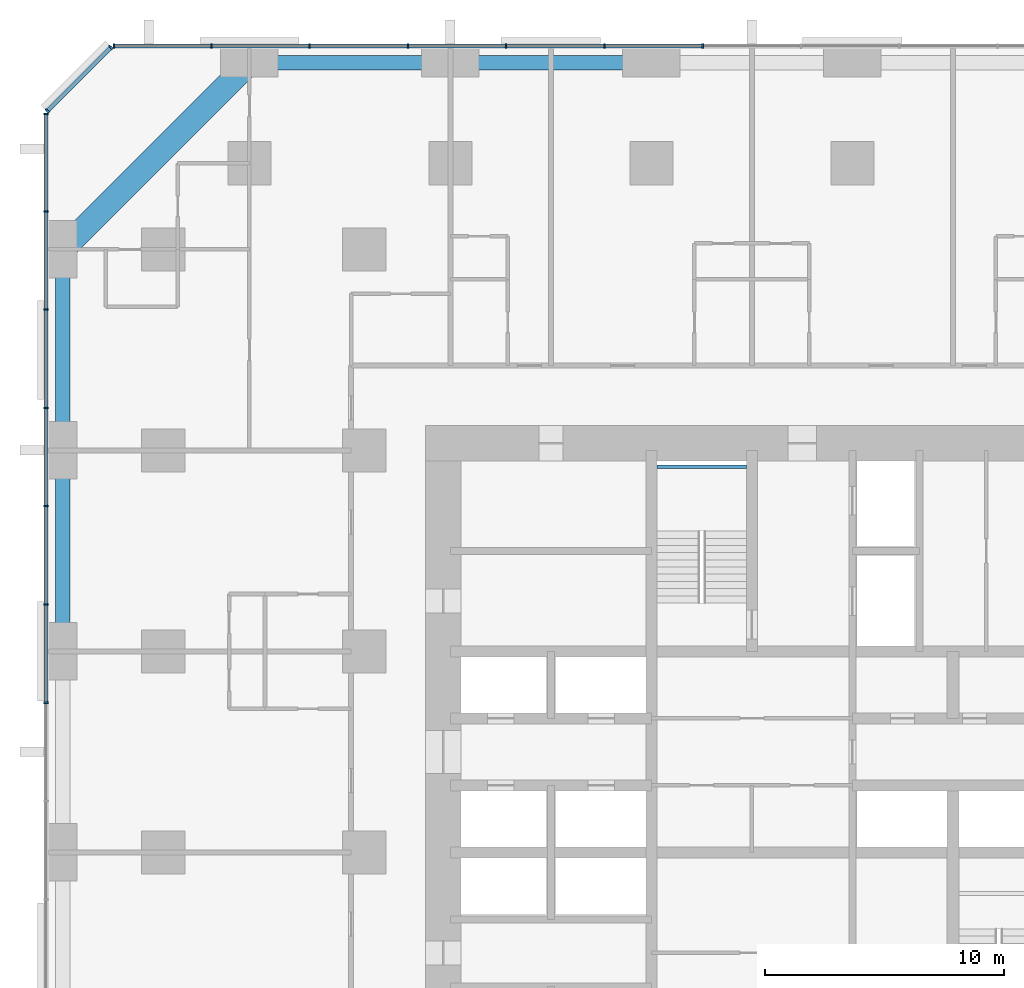
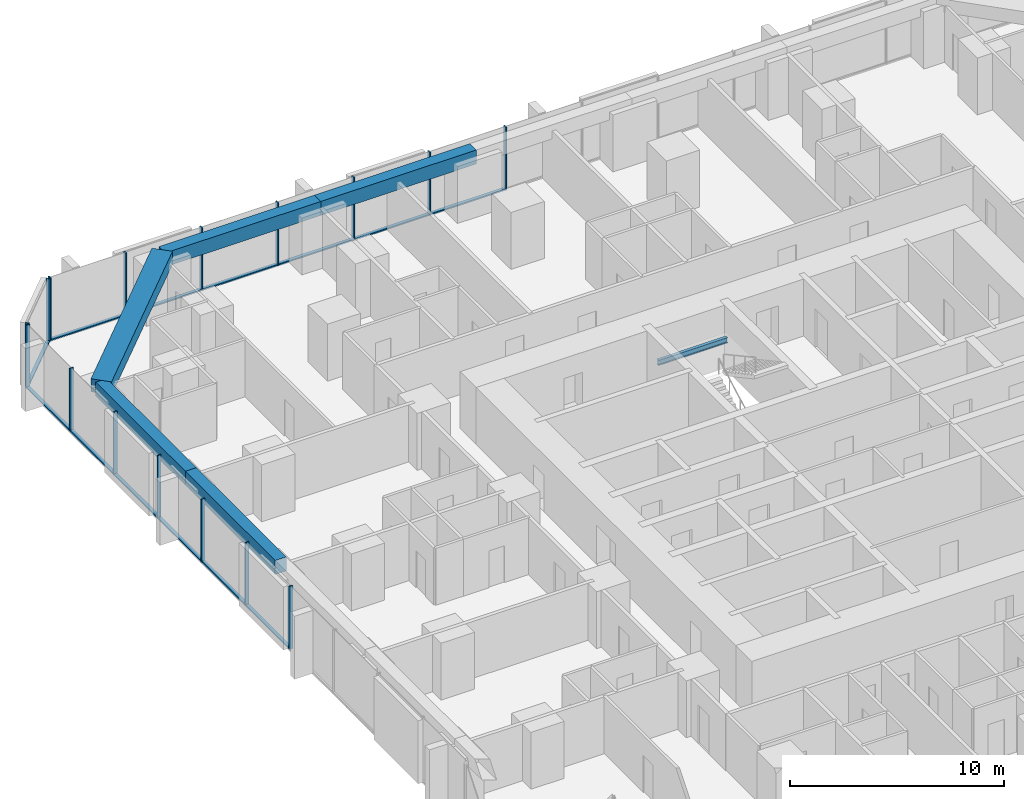
# One storey, part 6 of 17: 29 members, 6 beams, 3 elements without a shape of their own.
"""IFC4 building model written with IfcOpenShell, lengths in metres."""

from ifc_helpers import new_model, si_unit, direction, frame, origin, origin_2d, place, context, subcontext, project, spatial, rectangle, i_section, extrude, material, material_profile, profile_set, type_object, element, aggregate, save


model = new_model("IFC4")

# Units and contexts
model_context = context("Model", 3, precision=1e-05, world=origin(), true_north=direction((0.0, 1.0)))
body_context = subcontext(model_context, "Body", "Model", "MODEL_VIEW")
ifc_project = project(units=[si_unit("LENGTHUNIT", "METRE"), si_unit("AREAUNIT", "SQUARE_METRE"), si_unit("VOLUMEUNIT", "CUBIC_METRE"), si_unit("PLANEANGLEUNIT", "RADIAN"), si_unit("MASSUNIT", "GRAM", prefix="KILO")], contexts=[model_context])

# Site, building, storey
site_placement = place(None, origin())
site = spatial("IfcSite", under=ifc_project, at=site_placement, CompositionType="ELEMENT")
building_placement = place(site_placement, origin())
building = spatial("IfcBuilding", under=site, at=building_placement, Name="Dunama Terrace Hotel", CompositionType="ELEMENT")
storey_placement = place(building_placement, frame((0.0, 0.0, 70.199951171875)))
storey = spatial("IfcBuildingStorey", under=building, at=storey_placement, Name="L17", CompositionType="ELEMENT", Elevation=70.199951171875)

# Curtain wall, members
ifc_material_1 = material(Name="Aluminium curtain wall system", Category="aluminium")
curtain_wall_type = type_object("IfcCurtainWallType", Name="Unitised fritted glass wall CW-A", PredefinedType="NOTDEFINED", material=ifc_material_1)
curtain_wall_1_placement = place(storey_placement, origin())
curtain_wall_1 = element("IfcCurtainWall", 1, at=curtain_wall_1_placement, inside=storey, type_object=curtain_wall_type, Name="Unitised fritted glass wall CW-A L17", PredefinedType="NOTDEFINED")
ifc_material_2 = material(Name="Aluminium mullion", Category="aluminium")
ifc_material_profile_1 = material_profile(ifc_material_2, rectangle(XDim=0.06494140625, YDim=0.199951171875, at=origin_2d()), Name="CWA MULLION 65X200")
ifc_profile_set_1 = profile_set([ifc_material_profile_1], Name="Aluminium mullion")
member_type_1 = type_object("IfcMemberType", Name="CWA mullion 65x200", PredefinedType="MULLION", material=ifc_profile_set_1)
member_1_placement = place(storey_placement, frame((27.345947265625, 58.89990234375, 0.0), z_axis=(0.0, 0.0, 1.0), x_axis=(-1.0, 0.0, 0.0)))
member_1 = element("IfcMember", 2, at=member_1_placement, type_object=member_type_1, Name="CWA mullion", PredefinedType="MULLION", context=body_context, shape_type="SweptSolid", body=[
    extrude(rectangle(XDim=0.06494140625, YDim=0.199951171875, at=origin_2d()), origin(), (0.0, 0.0, 1.0), 3.60009765625),
])
member_2_placement = place(storey_placement, frame((23.238037109375, 58.89990234375, 0.0), z_axis=(0.0, 0.0, 1.0), x_axis=(-1.0, 0.0, 0.0)))
member_2 = element("IfcMember", 3, at=member_2_placement, type_object=member_type_1, Name="CWA mullion", PredefinedType="MULLION", context=body_context, shape_type="SweptSolid", body=[
    extrude(rectangle(XDim=0.06494140625, YDim=0.199951171875, at=origin_2d()), origin(), (0.0, 0.0, 1.0), 3.60009765625),
])
member_3_placement = place(storey_placement, frame((19.131103515625, 58.89990234375, 0.0), z_axis=(0.0, 0.0, 1.0), x_axis=(-1.0, 0.0, 0.0)))
member_3 = element("IfcMember", 4, at=member_3_placement, type_object=member_type_1, Name="CWA mullion", PredefinedType="MULLION", context=body_context, shape_type="SweptSolid", body=[
    extrude(rectangle(XDim=0.06494140625, YDim=0.199951171875, at=origin_2d()), origin(), (0.0, 0.0, 1.0), 3.60009765625),
])
member_4_placement = place(storey_placement, frame((15.02294921875, 58.89990234375, 0.0), z_axis=(0.0, 0.0, 1.0), x_axis=(-1.0, 0.0, 0.0)))
member_4 = element("IfcMember", 5, at=member_4_placement, type_object=member_type_1, Name="CWA mullion", PredefinedType="MULLION", context=body_context, shape_type="SweptSolid", body=[
    extrude(rectangle(XDim=0.06494140625, YDim=0.199951171875, at=origin_2d()), origin(), (0.0, 0.0, 1.0), 3.60009765625),
])
member_5_placement = place(storey_placement, frame((10.9150390625, 58.89990234375, 0.0), z_axis=(0.0, 0.0, 1.0), x_axis=(-1.0, 0.0, 0.0)))
member_5 = element("IfcMember", 6, at=member_5_placement, type_object=member_type_1, Name="CWA mullion", PredefinedType="MULLION", context=body_context, shape_type="SweptSolid", body=[
    extrude(rectangle(XDim=0.06494140625, YDim=0.199951171875, at=origin_2d()), origin(), (0.0, 0.0, 1.0), 3.60009765625),
])
member_6_placement = place(storey_placement, frame((6.80810546875, 58.89990234375, 0.0), z_axis=(0.0, 0.0, 1.0), x_axis=(-1.0, 0.0, 0.0)))
member_6 = element("IfcMember", 7, at=member_6_placement, type_object=member_type_1, Name="CWA mullion", PredefinedType="MULLION", context=body_context, shape_type="SweptSolid", body=[
    extrude(rectangle(XDim=0.06494140625, YDim=0.199951171875, at=origin_2d()), origin(), (0.0, 0.0, 1.0), 3.60009765625),
])
member_7_placement = place(storey_placement, frame((2.73291015625, 58.89990234375, 0.0), z_axis=(0.0, 0.0, 1.0), x_axis=(-1.0, 0.0, 0.0)))
member_7 = element("IfcMember", 8, at=member_7_placement, type_object=member_type_1, Name="CWA mullion", PredefinedType="MULLION", context=body_context, shape_type="SweptSolid", body=[
    extrude(rectangle(XDim=0.06494140625, YDim=0.199951171875, at=origin_2d()), origin(), (0.0, 0.0, 1.0), 3.60009765625),
])

curtain_wall_2_placement = place(storey_placement, origin())
curtain_wall_2 = element("IfcCurtainWall", 9, at=curtain_wall_2_placement, inside=storey, type_object=curtain_wall_type, Name="Unitised fritted glass wall CW-A L17", PredefinedType="NOTDEFINED")
member_8_placement = place(storey_placement, frame((2.60595703125, 58.847900390625, 0.0), z_axis=(0.0, 0.0, 1.0), x_axis=(-0.707106781187, -0.707106781187, 0.0)))
member_8 = element("IfcMember", 10, at=member_8_placement, type_object=member_type_1, Name="CWA mullion", PredefinedType="MULLION", context=body_context, shape_type="SweptSolid", body=[
    extrude(rectangle(XDim=0.06494140625, YDim=0.199951171875, at=origin_2d()), origin(), (0.0, 0.0, 1.0), 3.60009765625),
])
member_9_placement = place(storey_placement, frame((-0.048095703125, 56.194091796875, 0.0), z_axis=(0.0, 0.0, 1.0), x_axis=(-0.707106781187, -0.707106781187, 0.0)))
member_9 = element("IfcMember", 11, at=member_9_placement, type_object=member_type_1, Name="CWA mullion", PredefinedType="MULLION", context=body_context, shape_type="SweptSolid", body=[
    extrude(rectangle(XDim=0.06494140625, YDim=0.199951171875, at=origin_2d()), origin(), (0.0, 0.0, 1.0), 3.60009765625),
])

curtain_wall_3_placement = place(storey_placement, origin())
curtain_wall_3 = element("IfcCurtainWall", 12, at=curtain_wall_3_placement, inside=storey, type_object=curtain_wall_type, Name="Unitised fritted glass wall CW-A L17", PredefinedType="NOTDEFINED")
member_10_placement = place(storey_placement, frame((-0.10009765625, 56.06689453125, 0.0), z_axis=(0.0, 0.0, 1.0), x_axis=(0.0, -1.0, 0.0)))
member_10 = element("IfcMember", 13, at=member_10_placement, type_object=member_type_1, Name="CWA mullion", PredefinedType="MULLION", context=body_context, shape_type="SweptSolid", body=[
    extrude(rectangle(XDim=0.06494140625, YDim=0.199951171875, at=origin_2d()), origin(), (0.0, 0.0, 1.0), 3.60009765625),
])
member_11_placement = place(storey_placement, frame((-0.10009765625, 51.991943359375, 0.0), z_axis=(0.0, 0.0, 1.0), x_axis=(0.0, -1.0, 0.0)))
member_11 = element("IfcMember", 14, at=member_11_placement, type_object=member_type_1, Name="CWA mullion", PredefinedType="MULLION", context=body_context, shape_type="SweptSolid", body=[
    extrude(rectangle(XDim=0.06494140625, YDim=0.199951171875, at=origin_2d()), origin(), (0.0, 0.0, 1.0), 3.60009765625),
])
member_12_placement = place(storey_placement, frame((-0.10009765625, 47.885009765625, 0.0), z_axis=(0.0, 0.0, 1.0), x_axis=(0.0, -1.0, 0.0)))
member_12 = element("IfcMember", 15, at=member_12_placement, type_object=member_type_1, Name="CWA mullion", PredefinedType="MULLION", context=body_context, shape_type="SweptSolid", body=[
    extrude(rectangle(XDim=0.06494140625, YDim=0.199951171875, at=origin_2d()), origin(), (0.0, 0.0, 1.0), 3.60009765625),
])
member_13_placement = place(storey_placement, frame((-0.10009765625, 43.777099609375, 0.0), z_axis=(0.0, 0.0, 1.0), x_axis=(0.0, -1.0, 0.0)))
member_13 = element("IfcMember", 16, at=member_13_placement, type_object=member_type_1, Name="CWA mullion", PredefinedType="MULLION", context=body_context, shape_type="SweptSolid", body=[
    extrude(rectangle(XDim=0.06494140625, YDim=0.199951171875, at=origin_2d()), origin(), (0.0, 0.0, 1.0), 3.60009765625),
])
member_14_placement = place(storey_placement, frame((-0.10009765625, 39.6689453125, 0.0), z_axis=(0.0, 0.0, 1.0), x_axis=(0.0, -1.0, 0.0)))
member_14 = element("IfcMember", 17, at=member_14_placement, type_object=member_type_1, Name="CWA mullion", PredefinedType="MULLION", context=body_context, shape_type="SweptSolid", body=[
    extrude(rectangle(XDim=0.06494140625, YDim=0.199951171875, at=origin_2d()), origin(), (0.0, 0.0, 1.0), 3.60009765625),
])
member_15_placement = place(storey_placement, frame((-0.10009765625, 35.56201171875, 0.0), z_axis=(0.0, 0.0, 1.0), x_axis=(0.0, -1.0, 0.0)))
member_15 = element("IfcMember", 18, at=member_15_placement, type_object=member_type_1, Name="CWA mullion", PredefinedType="MULLION", context=body_context, shape_type="SweptSolid", body=[
    extrude(rectangle(XDim=0.06494140625, YDim=0.199951171875, at=origin_2d()), origin(), (0.0, 0.0, 1.0), 3.60009765625),
])
member_16_placement = place(storey_placement, frame((-0.10009765625, 31.4541015625, 0.0), z_axis=(0.0, 0.0, 1.0), x_axis=(0.0, -1.0, 0.0)))
member_16 = element("IfcMember", 19, at=member_16_placement, type_object=member_type_1, Name="CWA mullion", PredefinedType="MULLION", context=body_context, shape_type="SweptSolid", body=[
    extrude(rectangle(XDim=0.06494140625, YDim=0.199951171875, at=origin_2d()), origin(), (0.0, 0.0, 1.0), 3.60009765625),
])

# Member
ifc_material_3 = material(Name="Aluminium transom", Category="aluminium")
ifc_material_profile_2 = material_profile(ifc_material_3, rectangle(XDim=0.179931640625, YDim=0.074951171875, at=origin_2d()), Name="CWA TRANSOM 180X75")
ifc_profile_set_2 = profile_set([ifc_material_profile_2], Name="Aluminium transom")
member_type_2 = type_object("IfcMemberType", Name="CWA transom 180x75", PredefinedType="USERDEFINED", material=ifc_profile_set_2)
member_17_placement = place(storey_placement, frame((27.31396484375, 58.89990234375, 0.03759765625), z_axis=(-1.0, 0.0, 0.0), x_axis=(0.0, -1.0, 0.0)))
member_17 = element("IfcMember", 20, at=member_17_placement, type_object=member_type_2, Name="CWA transom", ObjectType="TRANSOM", PredefinedType="USERDEFINED", context=body_context, shape_type="SweptSolid", body=[
    extrude(rectangle(XDim=0.179931640625, YDim=0.074951171875, at=origin_2d()), origin(), (0.0, 0.0, 1.0), 4.04296875),
])

member_18_placement = place(storey_placement, frame((23.2060546875, 58.89990234375, 0.03759765625), z_axis=(-1.0, 0.0, 0.0), x_axis=(0.0, -1.0, 0.0)))
member_18 = element("IfcMember", 21, at=member_18_placement, type_object=member_type_2, Name="CWA transom", ObjectType="TRANSOM", PredefinedType="USERDEFINED", context=body_context, shape_type="SweptSolid", body=[
    extrude(rectangle(XDim=0.179931640625, YDim=0.074951171875, at=origin_2d()), origin(), (0.0, 0.0, 1.0), 4.04296875),
])

member_19_placement = place(storey_placement, frame((19.097900390625, 58.89990234375, 0.03759765625), z_axis=(-1.0, 0.0, 0.0), x_axis=(0.0, -1.0, 0.0)))
member_19 = element("IfcMember", 22, at=member_19_placement, type_object=member_type_2, Name="CWA transom", ObjectType="TRANSOM", PredefinedType="USERDEFINED", context=body_context, shape_type="SweptSolid", body=[
    extrude(rectangle(XDim=0.179931640625, YDim=0.074951171875, at=origin_2d()), origin(), (0.0, 0.0, 1.0), 4.0419921875),
])

member_20_placement = place(storey_placement, frame((14.990966796875, 58.89990234375, 0.03759765625), z_axis=(-1.0, 0.0, 0.0), x_axis=(0.0, -1.0, 0.0)))
member_20 = element("IfcMember", 23, at=member_20_placement, type_object=member_type_2, Name="CWA transom", ObjectType="TRANSOM", PredefinedType="USERDEFINED", context=body_context, shape_type="SweptSolid", body=[
    extrude(rectangle(XDim=0.179931640625, YDim=0.074951171875, at=origin_2d()), origin(), (0.0, 0.0, 1.0), 4.04296875),
])

member_21_placement = place(storey_placement, frame((10.883056640625, 58.89990234375, 0.03759765625), z_axis=(-1.0, 0.0, 0.0), x_axis=(0.0, -1.0, 0.0)))
member_21 = element("IfcMember", 24, at=member_21_placement, type_object=member_type_2, Name="CWA transom", ObjectType="TRANSOM", PredefinedType="USERDEFINED", context=body_context, shape_type="SweptSolid", body=[
    extrude(rectangle(XDim=0.179931640625, YDim=0.074951171875, at=origin_2d()), origin(), (0.0, 0.0, 1.0), 4.04296875),
])

member_22_placement = place(storey_placement, frame((6.77490234375, 58.89990234375, 0.03759765625), z_axis=(-1.0, 0.0, 0.0), x_axis=(0.0, -1.0, 0.0)))
member_22 = element("IfcMember", 25, at=member_22_placement, type_object=member_type_2, Name="CWA transom", ObjectType="TRANSOM", PredefinedType="USERDEFINED", context=body_context, shape_type="SweptSolid", body=[
    extrude(rectangle(XDim=0.179931640625, YDim=0.074951171875, at=origin_2d()), origin(), (0.0, 0.0, 1.0), 4.010009765625),
])

aggregate(curtain_wall_1, [member_1, member_2, member_3, member_4, member_5, member_6, member_7, member_17, member_18, member_19, member_20, member_21, member_22])

member_23_placement = place(storey_placement, frame((2.5830078125, 58.824951171875, 0.03759765625), z_axis=(-0.707106781187, -0.707106781187, 0.0), x_axis=(0.707106781187, -0.707106781187, 0.0)))
member_23 = element("IfcMember", 26, at=member_23_placement, type_object=member_type_2, Name="CWA transom", ObjectType="TRANSOM", PredefinedType="USERDEFINED", context=body_context, shape_type="SweptSolid", body=[
    extrude(rectangle(XDim=0.179931640625, YDim=0.074951171875, at=origin_2d()), origin(), (0.0, 0.0, 1.0), 3.688232421875),
])

aggregate(curtain_wall_2, [member_8, member_9, member_23])

member_24_placement = place(storey_placement, frame((-0.10009765625, 56.034912109375, 0.03759765625), z_axis=(0.0, -1.0, 0.0), x_axis=(1.0, 0.0, 0.0)))
member_24 = element("IfcMember", 27, at=member_24_placement, type_object=member_type_2, Name="CWA transom", ObjectType="TRANSOM", PredefinedType="USERDEFINED", context=body_context, shape_type="SweptSolid", body=[
    extrude(rectangle(XDim=0.179931640625, YDim=0.074951171875, at=origin_2d()), origin(), (0.0, 0.0, 1.0), 4.010009765625),
])

member_25_placement = place(storey_placement, frame((-0.10009765625, 51.9599609375, 0.03759765625), z_axis=(0.0, -1.0, 0.0), x_axis=(1.0, 0.0, 0.0)))
member_25 = element("IfcMember", 28, at=member_25_placement, type_object=member_type_2, Name="CWA transom", ObjectType="TRANSOM", PredefinedType="USERDEFINED", context=body_context, shape_type="SweptSolid", body=[
    extrude(rectangle(XDim=0.179931640625, YDim=0.074951171875, at=origin_2d()), origin(), (0.0, 0.0, 1.0), 4.04296875),
])

member_26_placement = place(storey_placement, frame((-0.10009765625, 47.85205078125, 0.03759765625), z_axis=(0.0, -1.0, 0.0), x_axis=(1.0, 0.0, 0.0)))
member_26 = element("IfcMember", 29, at=member_26_placement, type_object=member_type_2, Name="CWA transom", ObjectType="TRANSOM", PredefinedType="USERDEFINED", context=body_context, shape_type="SweptSolid", body=[
    extrude(rectangle(XDim=0.179931640625, YDim=0.074951171875, at=origin_2d()), origin(), (0.0, 0.0, 1.0), 4.04296875),
])

member_27_placement = place(storey_placement, frame((-0.10009765625, 43.743896484375, 0.03759765625), z_axis=(0.0, -1.0, 0.0), x_axis=(1.0, 0.0, 0.0)))
member_27 = element("IfcMember", 30, at=member_27_placement, type_object=member_type_2, Name="CWA transom", ObjectType="TRANSOM", PredefinedType="USERDEFINED", context=body_context, shape_type="SweptSolid", body=[
    extrude(rectangle(XDim=0.179931640625, YDim=0.074951171875, at=origin_2d()), origin(), (0.0, 0.0, 1.0), 4.0419921875),
])

member_28_placement = place(storey_placement, frame((-0.10009765625, 39.636962890625, 0.03759765625), z_axis=(0.0, -1.0, 0.0), x_axis=(1.0, 0.0, 0.0)))
member_28 = element("IfcMember", 31, at=member_28_placement, type_object=member_type_2, Name="CWA transom", ObjectType="TRANSOM", PredefinedType="USERDEFINED", context=body_context, shape_type="SweptSolid", body=[
    extrude(rectangle(XDim=0.179931640625, YDim=0.074951171875, at=origin_2d()), origin(), (0.0, 0.0, 1.0), 4.04296875),
])

member_29_placement = place(storey_placement, frame((-0.10009765625, 35.529052734375, 0.03759765625), z_axis=(0.0, -1.0, 0.0), x_axis=(1.0, 0.0, 0.0)))
member_29 = element("IfcMember", 32, at=member_29_placement, type_object=member_type_2, Name="CWA transom", ObjectType="TRANSOM", PredefinedType="USERDEFINED", context=body_context, shape_type="SweptSolid", body=[
    extrude(rectangle(XDim=0.179931640625, YDim=0.074951171875, at=origin_2d()), origin(), (0.0, 0.0, 1.0), 4.04296875),
])

aggregate(curtain_wall_3, [member_10, member_11, member_12, member_13, member_14, member_15, member_16, member_24, member_25, member_26, member_27, member_28, member_29])

# Beams
ifc_material_4 = material(Name="Concrete C50/60", Category="concrete")
ifc_material_profile_3 = material_profile(ifc_material_4, rectangle(XDim=1.0, YDim=0.75, at=origin_2d()), Name="RC 1000x750")
ifc_profile_set_3 = profile_set([ifc_material_profile_3], Name="Concrete C50/60")
beam_type_1 = type_object("IfcBeamType", Name="Edge beam RC 1000x750", PredefinedType="SPANDREL", material=ifc_profile_set_3)
beam_1_placement = place(storey_placement, frame((8.39990234375, 58.199951171875, 3.22509765625), z_axis=(-0.707095714747, -0.707117847453, 0.0), x_axis=(0.707117847453, -0.707095714747, 0.0)))
element("IfcBeam", 33, at=beam_1_placement, inside=storey, type_object=beam_type_1, Name="Corner edge beam under L18", PredefinedType="SPANDREL", context=body_context, shape_type="SweptSolid", body=[
    extrude(rectangle(XDim=1.0, YDim=0.75, at=origin_2d()), origin(), (0.0, 0.0, 1.0), 11.03076171875),
])
ifc_material_5 = material(Name="Concrete C40/50", Category="concrete")
ifc_material_profile_4 = material_profile(ifc_material_5, rectangle(XDim=0.60009765625, YDim=0.800048828125, at=origin_2d()), Name="RC 600x800")
ifc_profile_set_4 = profile_set([ifc_material_profile_4], Name="Concrete C40/50")
beam_type_2 = type_object("IfcBeamType", Name="Edge beam RC 600x800", PredefinedType="SPANDREL", material=ifc_profile_set_4)
for number, where, z_axis, x_axis, name in (
    (34, (0.60009765625, 33.60009765625, 3.199951171875), (0.0, 1.0, 0.0), (-1.0, 0.0, 0.0), "Edge beam under L18"),
    (35, (0.60009765625, 42.0, 3.199951171875), (0.0, 1.0, 0.0), (-1.0, 0.0, 0.0), "Edge beam under L18"),
):
    element("IfcBeam", number, at=place(storey_placement, frame(where, z_axis=z_axis, x_axis=x_axis)), inside=storey, type_object=beam_type_2, Name=name, PredefinedType="SPANDREL", context=body_context, shape_type="SweptSolid", body=[
        extrude(rectangle(XDim=0.60009765625, YDim=0.800048828125, at=origin_2d()), origin(), (0.0, 0.0, 1.0), 8.39990234375),
    ])
beam_2_placement = place(storey_placement, frame((8.39990234375, 58.199951171875, 3.199951171875), z_axis=(1.0, 0.0, 0.0), x_axis=(0.0, 1.0, 0.0)))
element("IfcBeam", 36, at=beam_2_placement, inside=storey, type_object=beam_type_2, Name="Edge beam under L18", PredefinedType="SPANDREL", context=body_context, shape_type="SweptSolid", body=[
    extrude(rectangle(XDim=0.60009765625, YDim=0.800048828125, at=origin_2d()), origin(), (0.0, 0.0, 1.0), 8.400146484375),
])
beam_3_placement = place(storey_placement, frame((16.800048828125, 58.199951171875, 3.199951171875), z_axis=(1.0, 0.0, 0.0), x_axis=(0.0, 1.0, 0.0)))
element("IfcBeam", 37, at=beam_3_placement, inside=storey, type_object=beam_type_2, Name="Edge beam under L18", PredefinedType="SPANDREL", context=body_context, shape_type="SweptSolid", body=[
    extrude(rectangle(XDim=0.60009765625, YDim=0.800048828125, at=origin_2d()), origin(), (0.0, 0.0, 1.0), 8.39990234375),
])
ifc_material_6 = material(Name="Steel S355", Category="steel")
ifc_material_profile_5 = material_profile(ifc_material_6, i_section(OverallWidth=0.1650390625, OverallDepth=0.303466796875, WebThickness=0.006103515625, FlangeThickness=0.01025390625, FilletRadius=0.0087890625, at=origin_2d()), Name="UB 305x165x40")
ifc_profile_set_5 = profile_set([ifc_material_profile_5], Name="Steel S355")
beam_type_3 = type_object("IfcBeamType", Name="Stair beam UB 305x165x40", PredefinedType="BEAM", material=ifc_profile_set_5)
beam_4_placement = place(storey_placement, frame((25.425048828125, 41.3173828125, 1.4482421875), z_axis=(1.0, 0.0, 0.0), x_axis=(0.0, 1.0, 0.0)))
element("IfcBeam", 38, at=beam_4_placement, inside=storey, type_object=beam_type_3, Name="Stair landing beam ST1 L17", PredefinedType="BEAM", context=body_context, shape_type="SweptSolid", body=[
    extrude(i_section(OverallWidth=0.1650390625, OverallDepth=0.303466796875, WebThickness=0.006103515625, FlangeThickness=0.01025390625, FilletRadius=0.0087890625, at=origin_2d()), origin(), (0.0, 0.0, 1.0), 3.75),
])

save(model, "model.ifc")
